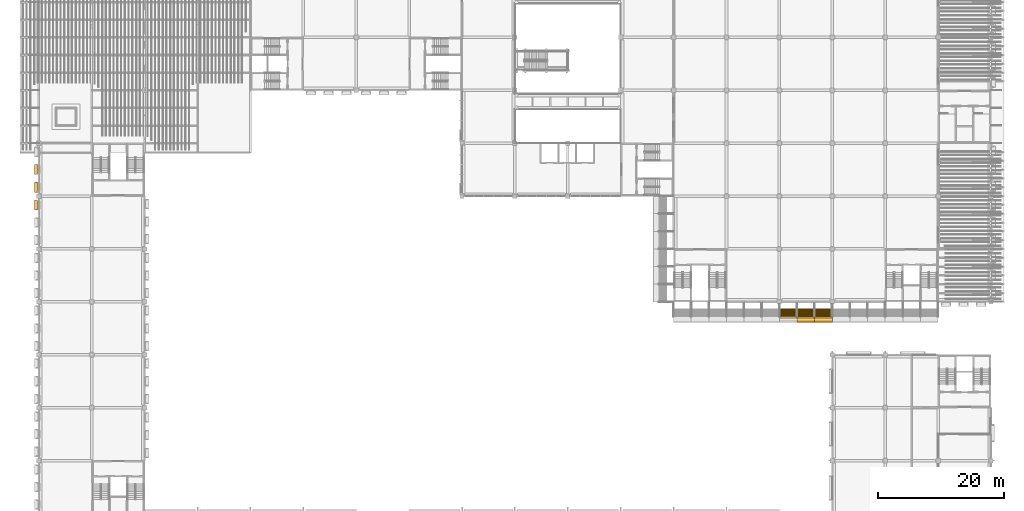
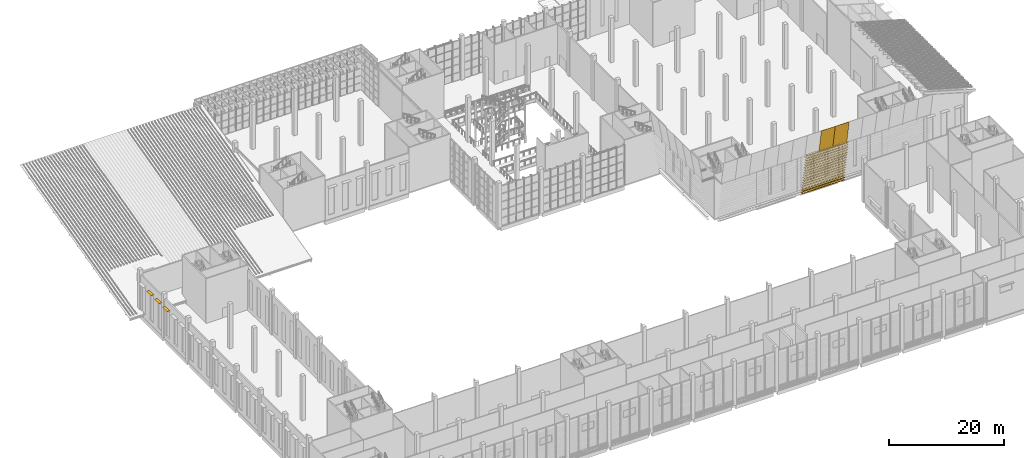
# One storey, part 94 of 114: 18 coverings, 3 shading devices.
"""IFC4 building model written with IfcOpenShell, lengths in metres."""

from ifc_helpers import new_model, si_unit, direction, frame, origin, origin_2d, place, context, subcontext, project, spatial, polyline, rectangle, outline, extrude, material, layer, layer_set, material_profile, profile_set, type_object, element, save


model = new_model("IFC4")

# Units and contexts
model_context = context("Model", 3, precision=1e-05, world=origin(), true_north=direction((0.0, 1.0)))
body_context = subcontext(model_context, "Body", "Model", "MODEL_VIEW")
ifc_project = project(units=[si_unit("LENGTHUNIT", "METRE"), si_unit("AREAUNIT", "SQUARE_METRE"), si_unit("VOLUMEUNIT", "CUBIC_METRE"), si_unit("PLANEANGLEUNIT", "RADIAN"), si_unit("MASSUNIT", "GRAM", prefix="KILO")], contexts=[model_context])

# Site, building, storey
site_placement = place(None, origin())
site = spatial("IfcSite", under=ifc_project, at=site_placement, CompositionType="ELEMENT")
building_placement = place(site_placement, origin())
building = spatial("IfcBuilding", under=site, at=building_placement, Name="Almond Square Museum", CompositionType="ELEMENT")
storey_placement = place(building_placement, frame((0.0, 0.0, 10.5)))
storey = spatial("IfcBuildingStorey", under=building, at=storey_placement, Name="L02", CompositionType="ELEMENT", Elevation=10.5)

# Coverings
ifc_material_1 = material(Name="Cedar timber louvre board", Category="wood")
ifc_material_profile_1 = material_profile(ifc_material_1, rectangle(XDim=0.449951171875, YDim=0.050048828125, at=origin_2d()))
ifc_profile_set_1 = profile_set([ifc_material_profile_1], Name="Cedar timber louvre board")
covering_type_1 = type_object("IfcCoveringType", Name="Louvre board 450 x 50", PredefinedType="CLADDING", material=ifc_profile_set_1)
for number, where, z_axis, x_axis, name in (
    (1, (123.60009765625, 49.141357421875, 0.39990234375), (1.0, 0.0, 0.0), (0.0, 1.0, 0.0), "Louvre board S07.03"),
    (2, (123.60009765625, 49.03564453125, 1.0), (1.0, 0.0, 0.0), (0.0, 1.0, 0.0), "Louvre board S08.03"),
    (3, (123.60009765625, 48.9296875, 1.60009765625), (1.0, 0.0, 0.0), (0.0, 1.0, 0.0), "Louvre board S09.03"),
    (4, (123.60009765625, 48.823974609375, 2.199951171875), (1.0, 0.0, 0.0), (0.0, 1.0, 0.0), "Louvre board S10.03"),
    (5, (123.60009765625, 48.71826171875, 2.800048828125), (1.0, 0.0, 0.0), (0.0, 1.0, 0.0), "Louvre board S11.03"),
    (6, (123.60009765625, 48.6123046875, 3.39990234375), (1.0, 0.0, 0.0), (0.0, 1.0, 0.0), "Louvre board S12.03"),
    (7, (123.60009765625, 48.506591796875, 4.0), (1.0, 0.0, 0.0), (0.0, 1.0, 0.0), "Louvre board S13.03"),
    (8, (123.60009765625, 48.40087890625, 4.60009765625), (1.0, 0.0, 0.0), (0.0, 1.0, 0.0), "Louvre board S14.03"),
    (9, (123.60009765625, 48.294921875, 5.199951171875), (1.0, 0.0, 0.0), (0.0, 1.0, 0.0), "Louvre board S15.03"),
    (10, (123.60009765625, 48.189208984375, 5.800048828125), (1.0, 0.0, 0.0), (0.0, 1.0, 0.0), "Louvre board S16.03"),
    (11, (123.60009765625, 48.08349609375, 6.39990234375), (1.0, 0.0, 0.0), (0.0, 1.0, 0.0), "Louvre board S17.03"),
    (12, (123.60009765625, 47.9775390625, 7.0), (1.0, 0.0, 0.0), (0.0, 1.0, 0.0), "Louvre board S18.03"),
    (13, (123.60009765625, 47.871826171875, 7.60009765625), (1.0, 0.0, 0.0), (0.0, 1.0, 0.0), "Louvre board S19.03"),
    (14, (123.60009765625, 47.76611328125, 8.199951171875), (1.0, 0.0, 0.0), (0.0, 1.0, 0.0), "Louvre board S20.03"),
    (15, (123.60009765625, 47.66015625, 8.800048828125), (1.0, 0.0, 0.0), (0.0, 1.0, 0.0), "Louvre board S21.03"),
    (16, (123.60009765625, 47.554443359375, 9.39990234375), (1.0, 0.0, 0.0), (0.0, 1.0, 0.0), "Louvre board S22.03"),
):
    element("IfcCovering", number, at=place(storey_placement, frame(where, z_axis=z_axis, x_axis=x_axis)), inside=storey, type_object=covering_type_1, Name=name, PredefinedType="CLADDING", context=body_context, shape_type="SweptSolid", body=[
        extrude(rectangle(XDim=0.449951171875, YDim=0.050048828125, at=origin_2d()), origin(), (0.0, 0.0, 1.0), 8.39990234375),
    ])
ifc_material_2 = material(Name="Cedar timber sheathing panel", Category="wood")
ifc_layer = layer(ifc_material_2, 0.030029296875)
ifc_layer_set = layer_set([ifc_layer], Name="Cedar timber sheathing panel")
covering_type_2 = type_object("IfcCoveringType", Name="Louvre rain-screen backing panel 30", PredefinedType="CLADDING", material=ifc_layer_set)
for number, where, z_axis, x_axis, name in (
    (17, (126.39990234375, 48.035400390625, 8.969970703125), (0.0, -0.984808947576, -0.173641402823), (1.0, 0.0, 0.0), "Louvre rain-screen backing panel S08.05"),
    (18, (129.199951171875, 48.035400390625, 8.969970703125), (0.0, -0.984808947576, -0.173641402823), (1.0, 0.0, 0.0), "Louvre rain-screen backing panel S09.05"),
):
    element("IfcCovering", number, at=place(storey_placement, frame(where, z_axis=z_axis, x_axis=x_axis)), inside=storey, type_object=covering_type_2, Name=name, PredefinedType="CLADDING", context=body_context, shape_type="SweptSolid", body=[
        extrude(outline(polyline([(0.0, 0.0), (2.800048828125, 0.0), (2.800048828125, 4.935076426587713), (0.0, 4.935076426587713), (0.0, 0.0)])), frame((0.0, 0.0, -0.01513671875)), (0.0, 0.0, 1.0), 0.030029296875),
    ])

# Shading devices
ifc_material_3 = material(Name="Anodised aluminium", Category="aluminium")
ifc_material_profile_2 = material_profile(ifc_material_3, rectangle(XDim=0.60009765625, YDim=0.050048828125, at=origin_2d()))
ifc_profile_set_2 = profile_set([ifc_material_profile_2], Name="Anodised aluminium")
shading_device_type = type_object("IfcShadingDeviceType", Name="Sun-shade blade 600 x 50", PredefinedType="USERDEFINED", material=ifc_profile_set_2)
for number, where, z_axis, x_axis, name in (
    (19, (5.576904296875, 67.800048828125, 7.02001953125), (0.0, 1.0, 0.0), (-1.0, 0.0, 0.0), "Sun-shade blade"),
    (20, (5.576904296875, 70.60009765625, 7.02001953125), (0.0, 1.0, 0.0), (-1.0, 0.0, 0.0), "Sun-shade blade"),
):
    element("IfcShadingDevice", number, at=place(storey_placement, frame(where, z_axis=z_axis, x_axis=x_axis)), inside=storey, type_object=shading_device_type, Name=name, ObjectType="LOUVRE", PredefinedType="USERDEFINED", context=body_context, shape_type="SweptSolid", body=[
        extrude(rectangle(XDim=0.60009765625, YDim=0.050048828125, at=origin_2d()), origin(), (0.0, 0.0, 1.0), 1.599853515625),
    ])
shading_device_placement = place(storey_placement, frame((5.576904296875, 65.0, 7.02001953125), z_axis=(0.0, 1.0, 0.0), x_axis=(-1.0, 0.0, 0.0)))
element("IfcShadingDevice", 21, at=shading_device_placement, inside=storey, type_object=shading_device_type, Name="Sun-shade blade", ObjectType="LOUVRE", PredefinedType="USERDEFINED", context=body_context, shape_type="SweptSolid", body=[
    extrude(rectangle(XDim=0.60009765625, YDim=0.050048828125, at=origin_2d()), origin(), (0.0, 0.0, 1.0), 1.60009765625),
])

save(model, "model.ifc")
